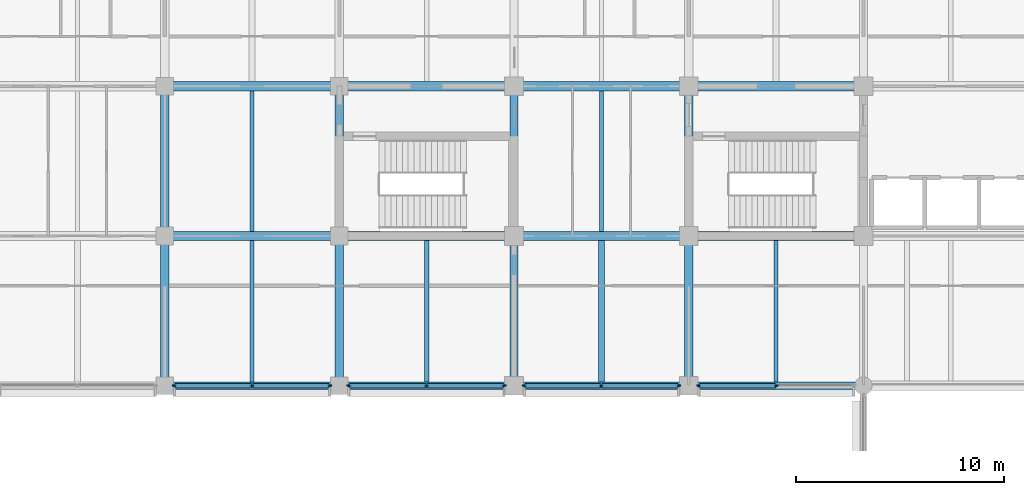
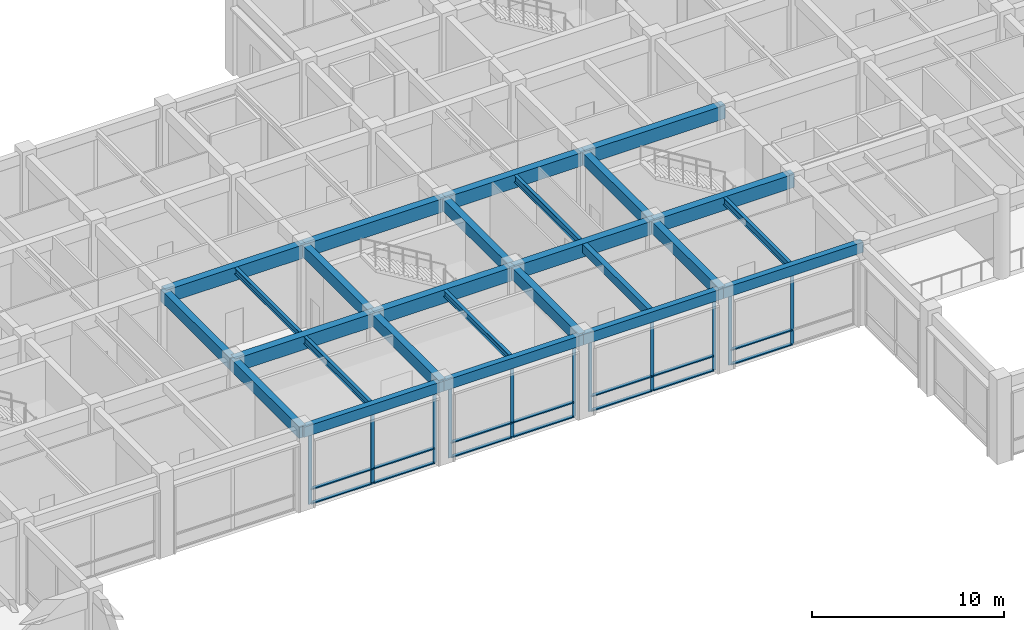
# One storey, part 4 of 51: 32 members, 26 beams, 4 elements without a shape of their own.
"""IFC4 building model written with IfcOpenShell, lengths in metres."""

import ifcopenshell
import ifcopenshell.guid

model = None  # the IFC model being written
_history = None  # IfcOwnerHistory: only IFC2X3 demands one
_inside = {}  # id of a spatial element -> (the spatial element, [elements in it])
_under = {}  # id of a project, library or spatial element -> (it, [spatial elements below it])
_declared = {}  # id of a project -> (the project, [libraries it declares])
_typed = {}  # id of a type object -> (the type object, [elements of that type])
_made_of = {}  # id of a material, layer set ... -> (it, [elements and type objects made of it])


def new_model(schema):
    """Start an empty IFC model of exactly this schema.

    Asked for "IFC4X3", IfcOpenShell would pick the latest addendum, in which some entities
    have other attributes; the version numbers below select the first issue.
    IFC2X3 requires an IfcOwnerHistory on every rooted entity: one is made here for all.
    """
    global model, _history
    if schema == "IFC4X3":
        model = ifcopenshell.file(schema_version=(4, 3, 0, 0))
    else:
        model = ifcopenshell.file(schema=schema)
    _inside.clear()
    _under.clear()
    _declared.clear()
    _typed.clear()
    _made_of.clear()
    _history = None
    if model.schema == "IFC2X3":
        org = make("IfcOrganization", Name="unknown")
        user = make(
            "IfcPersonAndOrganization",
            ThePerson=make("IfcPerson", FamilyName="unknown"),
            TheOrganization=org,
        )
        app = make(
            "IfcApplication",
            ApplicationDeveloper=org,
            Version="unknown",
            ApplicationFullName="unknown",
            ApplicationIdentifier="unknown",
        )
        _history = make(
            "IfcOwnerHistory",
            OwningUser=user,
            OwningApplication=app,
            ChangeAction="ADDED",
            CreationDate=0,
        )
    return model


def make(cls, **values):
    """One entity of the class cls with the attributes given. An attribute that is None is left unset."""
    return model.create_entity(
        cls, **{name: value for name, value in values.items() if value is not None}
    )


def rooted(cls, **values):
    """An entity with a GlobalId (a new one), such as an element, a storey or a relation."""
    return make(cls, GlobalId=ifcopenshell.guid.new(), OwnerHistory=_history, **values)


def si_unit(unit_type, name, prefix=None):
    """IfcSIUnit, for example si_unit("LENGTHUNIT", "METRE", prefix="MILLI")."""
    return make("IfcSIUnit", UnitType=unit_type, Prefix=prefix, Name=name)


def assignment(units):
    """IfcUnitAssignment: the units of a project."""
    return None if units is None else make("IfcUnitAssignment", Units=units)


def point(xyz):
    """IfcCartesianPoint."""
    return None if xyz is None else make("IfcCartesianPoint", Coordinates=xyz)


def direction(xyz):
    """IfcDirection."""
    return None if xyz is None else make("IfcDirection", DirectionRatios=xyz)


def frame(location, z_axis=None, x_axis=None):
    """IfcAxis2Placement3D, a coordinate frame: its origin and axes. An axis left out is left unset."""
    return make(
        "IfcAxis2Placement3D",
        Location=point(location),
        Axis=direction(z_axis),
        RefDirection=direction(x_axis),
    )


def frame_2d(location, x_axis=None):
    """IfcAxis2Placement2D, a coordinate frame in the plane: its origin and x axis."""
    return make(
        "IfcAxis2Placement2D", Location=point(location), RefDirection=direction(x_axis)
    )


def origin():
    """The frame at (0, 0, 0) with its axes left unset."""
    return frame((0.0, 0.0, 0.0))


def origin_2d():
    """The frame at (0, 0) in the plane with its x axis left unset."""
    return frame_2d((0.0, 0.0))


def place(relative_to, where):
    """IfcLocalPlacement: puts the frame where relative to a parent placement (None: the world)."""
    return make(
        "IfcLocalPlacement", PlacementRelTo=relative_to, RelativePlacement=where
    )


def context(
    kind, dimensions, precision=None, world=None, true_north=None, identifier=None
):
    """IfcGeometricRepresentationContext, for example the 3D "Model" context."""
    return make(
        "IfcGeometricRepresentationContext",
        ContextIdentifier=identifier,
        ContextType=kind,
        CoordinateSpaceDimension=dimensions,
        Precision=precision,
        WorldCoordinateSystem=world,
        TrueNorth=true_north,
    )


def subcontext(parent, identifier, kind, view, scale=None):
    """IfcGeometricRepresentationSubContext, for example "Body" below "Model"."""
    return make(
        "IfcGeometricRepresentationSubContext",
        ContextIdentifier=identifier,
        ContextType=kind,
        ParentContext=parent,
        TargetScale=scale,
        TargetView=view,
    )


def project(units=None, contexts=None):
    """IfcProject with its units and contexts."""
    return rooted(
        "IfcProject",
        Name="project",
        RepresentationContexts=contexts,
        UnitsInContext=assignment(units),
    )


def spatial(cls, under=None, at=None, **own):
    """A site, building, storey or space (cls), placed at a placement, below another one or the project."""
    s = rooted(cls, ObjectPlacement=at, **own)
    if under is not None:
        _under.setdefault(under.id(), (under, []))[1].append(s)
    return s


def profile(cls, at=None, kind="AREA", **sizes):
    """A parametric profile (cls). Its sizes go by their IFC names, for example OverallWidth=200.0."""
    return make(cls, ProfileType=kind, Position=at, **sizes)


def rectangle(**sizes):
    """IfcRectangleProfileDef."""
    return profile("IfcRectangleProfileDef", **sizes)


def i_section(**sizes):
    """IfcIShapeProfileDef."""
    return profile("IfcIShapeProfileDef", **sizes)


def extrude(swept, where, along, depth):
    """IfcExtrudedAreaSolid: the profile swept, set in the frame where, extruded along a direction by depth."""
    return make(
        "IfcExtrudedAreaSolid",
        SweptArea=swept,
        Position=where,
        ExtrudedDirection=direction(along),
        Depth=depth,
    )


def shape(context_of_items, identifier, shape_type, items):
    """IfcShapeRepresentation: the items that make up one representation, for example the "Body"."""
    return make(
        "IfcShapeRepresentation",
        ContextOfItems=context_of_items,
        RepresentationIdentifier=identifier,
        RepresentationType=shape_type,
        Items=items,
    )


def material(Name=None, Category=None):
    """IfcMaterial."""
    return make("IfcMaterial", Name=Name, Category=Category)


def layer(
    of_material, thickness, ventilated=None, Name=None, Category=None, Priority=None
):
    """IfcMaterialLayer: one layer of a wall or slab, of a material (None: an air gap)."""
    return make(
        "IfcMaterialLayer",
        Material=of_material,
        LayerThickness=thickness,
        IsVentilated=ventilated,
        Name=Name,
        Category=Category,
        Priority=Priority,
    )


def layer_set(layers, Name=None):
    """IfcMaterialLayerSet."""
    return make("IfcMaterialLayerSet", MaterialLayers=layers, LayerSetName=Name)


def material_profile(
    of_material, cross_section, Name=None, Category=None, Priority=None
):
    """IfcMaterialProfile: a cross section and its material."""
    return make(
        "IfcMaterialProfile",
        Name=Name,
        Material=of_material,
        Profile=cross_section,
        Priority=Priority,
        Category=Category,
    )


def profile_set(profiles, Name=None, composite=None):
    """IfcMaterialProfileSet."""
    return make(
        "IfcMaterialProfileSet",
        Name=Name,
        MaterialProfiles=profiles,
        CompositeProfile=composite,
    )


def made_of(thing, what):
    """Note that an element or type object is made of a material, layer set ...; save() writes the relation."""
    if what is not None:
        _made_of.setdefault(what.id(), (what, []))[1].append(thing)
    return thing


def type_object(cls, material=None, **own):
    """A type object (cls), such as IfcWallType, which elements share."""
    return made_of(rooted(cls, **own), material)


def element(
    cls,
    number,
    at=None,
    inside=None,
    cuts=None,
    type_object=None,
    material=None,
    context=None,
    identifier="Body",
    shape_type=None,
    held_by="IfcProductDefinitionShape",
    body=None,
    shapes=None,
    **own,
):
    """One element of the class cls, such as IfcWall. Its Tag is "e" and its number.

    at: its placement. inside: the storey or other place that contains it. cuts: it is an
    opening in that element (IfcRelVoidsElement). A single representation is given by context,
    identifier, shape_type and body (its items); several are given by shapes. held_by: the class
    of the entity that holds the representations. save() writes the other relations.
    """
    e = rooted(cls, Tag="e%d" % number, ObjectPlacement=at, **own)
    if body is not None:
        shapes = [shape(context, identifier, shape_type, body)]
    if shapes is not None:
        e.Representation = make(held_by, Representations=shapes)
    if inside is not None:
        _inside.setdefault(inside.id(), (inside, []))[1].append(e)
    if cuts is not None:
        rooted(
            "IfcRelVoidsElement", RelatingBuildingElement=cuts, RelatedOpeningElement=e
        )
    if type_object is not None:
        _typed.setdefault(type_object.id(), (type_object, []))[1].append(e)
    return made_of(e, material)


def aggregate(whole, parts):
    """IfcRelAggregates: a whole, such as a stair, and the parts it consists of."""
    return rooted("IfcRelAggregates", RelatingObject=whole, RelatedObjects=parts)


def save(model, path):
    """Write the relations noted so far, then the file.

    IfcRelAggregates (storeys below a building ...), IfcRelContainedInSpatialStructure (elements
    in a storey), IfcRelDefinesByType, IfcRelAssociatesMaterial and IfcRelDeclares: one each for
    every whole, place, type object, material and project.
    """
    for whole, parts in _under.values():
        aggregate(whole, parts)
    for where, things in _inside.values():
        rooted(
            "IfcRelContainedInSpatialStructure",
            RelatedElements=things,
            RelatingStructure=where,
        )
    for kind, things in _typed.values():
        rooted("IfcRelDefinesByType", RelatedObjects=things, RelatingType=kind)
    for what, things in _made_of.values():
        rooted("IfcRelAssociatesMaterial", RelatedObjects=things, RelatingMaterial=what)
    for by, libraries in _declared.values():
        rooted("IfcRelDeclares", RelatingContext=by, RelatedDefinitions=libraries)
    model.write(path)


model = new_model("IFC4")

# Units and contexts
model_context = context("Model", 3, precision=1e-05, world=origin(), true_north=direction((0.0, 1.0)))
body_context = subcontext(model_context, "Body", "Model", "MODEL_VIEW")
ifc_project = project(units=[si_unit("LENGTHUNIT", "METRE"), si_unit("AREAUNIT", "SQUARE_METRE"), si_unit("VOLUMEUNIT", "CUBIC_METRE"), si_unit("PLANEANGLEUNIT", "RADIAN"), si_unit("MASSUNIT", "GRAM", prefix="KILO")], contexts=[model_context])

# Site, building, storey
site_placement = place(None, origin())
site = spatial("IfcSite", under=ifc_project, at=site_placement, CompositionType="ELEMENT")
building_placement = place(site_placement, origin())
building = spatial("IfcBuilding", under=site, at=building_placement, Name="Chengyuan Square Courthouse", CompositionType="ELEMENT")
storey_placement = place(building_placement, frame((0.0, 0.0, 10.800048828125)))
storey = spatial("IfcBuildingStorey", under=building, at=storey_placement, Name="L03", CompositionType="ELEMENT", Elevation=10.800048828125)

# Beams
ifc_material_1 = material(Name="Concrete C40", Category="concrete")
ifc_material_profile_1 = material_profile(ifc_material_1, rectangle(XDim=0.449951171875, YDim=0.85009765625, at=origin_2d()), Name="RC-BM-450x850")
ifc_profile_set_1 = profile_set([ifc_material_profile_1], Name="Concrete C40")
beam_type_1 = type_object("IfcBeamType", Name="BM-01", PredefinedType="USERDEFINED", material=ifc_profile_set_1)
for number, where, z_axis, x_axis, name in (
    (1, (33.60009765625, 86.39990234375, 4.695068359375), (1.0, 0.0, 0.0), (0.0, 1.0, 0.0), "Girder BM-L03-2548"),
    (2, (42.0, 86.39990234375, 4.695068359375), (1.0, 0.0, 0.0), (0.0, 1.0, 0.0), "Girder BM-L03-2549"),
):
    element("IfcBeam", number, at=place(storey_placement, frame(where, z_axis=z_axis, x_axis=x_axis)), inside=storey, type_object=beam_type_1, Name=name, ObjectType="GIRDER", PredefinedType="USERDEFINED", context=body_context, shape_type="SweptSolid", body=[
        extrude(rectangle(XDim=0.449951171875, YDim=0.85009765625, at=origin_2d()), origin(), (0.0, 0.0, 1.0), 8.39990234375),
    ])
beam_1_placement = place(storey_placement, frame((50.39990234375, 86.39990234375, 4.695068359375), z_axis=(1.0, 0.0, 0.0), x_axis=(0.0, 1.0, 0.0)))
element("IfcBeam", 3, at=beam_1_placement, inside=storey, type_object=beam_type_1, Name="Girder BM-L03-2550", ObjectType="GIRDER", PredefinedType="USERDEFINED", context=body_context, shape_type="SweptSolid", body=[
    extrude(rectangle(XDim=0.449951171875, YDim=0.85009765625, at=origin_2d()), origin(), (0.0, 0.0, 1.0), 8.400146484375),
])
for number, where, z_axis, x_axis, name in (
    (4, (58.800048828125, 86.39990234375, 4.695068359375), (1.0, 0.0, 0.0), (0.0, 1.0, 0.0), "Girder BM-L03-2551"),
    (5, (33.60009765625, 93.60009765625, 4.695068359375), (1.0, 0.0, 0.0), (0.0, 1.0, 0.0), "Girder BM-L03-2568"),
    (6, (42.0, 93.60009765625, 4.695068359375), (1.0, 0.0, 0.0), (0.0, 1.0, 0.0), "Girder BM-L03-2569"),
):
    element("IfcBeam", number, at=place(storey_placement, frame(where, z_axis=z_axis, x_axis=x_axis)), inside=storey, type_object=beam_type_1, Name=name, ObjectType="GIRDER", PredefinedType="USERDEFINED", context=body_context, shape_type="SweptSolid", body=[
        extrude(rectangle(XDim=0.449951171875, YDim=0.85009765625, at=origin_2d()), origin(), (0.0, 0.0, 1.0), 8.39990234375),
    ])
beam_2_placement = place(storey_placement, frame((50.39990234375, 93.60009765625, 4.695068359375), z_axis=(1.0, 0.0, 0.0), x_axis=(0.0, 1.0, 0.0)))
element("IfcBeam", 7, at=beam_2_placement, inside=storey, type_object=beam_type_1, Name="Girder BM-L03-2570", ObjectType="GIRDER", PredefinedType="USERDEFINED", context=body_context, shape_type="SweptSolid", body=[
    extrude(rectangle(XDim=0.449951171875, YDim=0.85009765625, at=origin_2d()), origin(), (0.0, 0.0, 1.0), 8.400146484375),
])
beam_3_placement = place(storey_placement, frame((58.800048828125, 93.60009765625, 4.695068359375), z_axis=(1.0, 0.0, 0.0), x_axis=(0.0, 1.0, 0.0)))
element("IfcBeam", 8, at=beam_3_placement, inside=storey, type_object=beam_type_1, Name="Girder BM-L03-2571", ObjectType="GIRDER", PredefinedType="USERDEFINED", context=body_context, shape_type="SweptSolid", body=[
    extrude(rectangle(XDim=0.449951171875, YDim=0.85009765625, at=origin_2d()), origin(), (0.0, 0.0, 1.0), 8.39990234375),
])
ifc_material_profile_2 = material_profile(ifc_material_1, rectangle(XDim=0.39990234375, YDim=0.75, at=origin_2d()), Name="RC-BM-400x750")
ifc_profile_set_2 = profile_set([ifc_material_profile_2], Name="Concrete C40")
beam_type_2 = type_object("IfcBeamType", Name="BM-02", PredefinedType="USERDEFINED", material=ifc_profile_set_2)
beam_4_placement = place(storey_placement, frame((33.60009765625, 79.199951171875, 4.744873046875), z_axis=(0.0, 1.0, 0.0), x_axis=(-1.0, 0.0, 0.0)))
element("IfcBeam", 9, at=beam_4_placement, inside=storey, type_object=beam_type_2, Name="Girder BM-L03-2660", ObjectType="GIRDER", PredefinedType="USERDEFINED", context=body_context, shape_type="SweptSolid", body=[
    extrude(rectangle(XDim=0.39990234375, YDim=0.75, at=origin_2d()), origin(), (0.0, 0.0, 1.0), 7.199951171875),
])
beam_5_placement = place(storey_placement, frame((33.60009765625, 86.39990234375, 4.744873046875), z_axis=(0.0, 1.0, 0.0), x_axis=(-1.0, 0.0, 0.0)))
element("IfcBeam", 10, at=beam_5_placement, inside=storey, type_object=beam_type_2, Name="Girder BM-L03-2661", ObjectType="GIRDER", PredefinedType="USERDEFINED", context=body_context, shape_type="SweptSolid", body=[
    extrude(rectangle(XDim=0.39990234375, YDim=0.75, at=origin_2d()), origin(), (0.0, 0.0, 1.0), 7.2001953125),
])
beam_6_placement = place(storey_placement, frame((42.0, 79.199951171875, 4.744873046875), z_axis=(0.0, 1.0, 0.0), x_axis=(-1.0, 0.0, 0.0)))
element("IfcBeam", 11, at=beam_6_placement, inside=storey, type_object=beam_type_2, Name="Girder BM-L03-2664", ObjectType="GIRDER", PredefinedType="USERDEFINED", context=body_context, shape_type="SweptSolid", body=[
    extrude(rectangle(XDim=0.39990234375, YDim=0.75, at=origin_2d()), origin(), (0.0, 0.0, 1.0), 7.199951171875),
])
beam_7_placement = place(storey_placement, frame((42.0, 86.39990234375, 4.744873046875), z_axis=(0.0, 1.0, 0.0), x_axis=(-1.0, 0.0, 0.0)))
element("IfcBeam", 12, at=beam_7_placement, inside=storey, type_object=beam_type_2, Name="Girder BM-L03-2665", ObjectType="GIRDER", PredefinedType="USERDEFINED", context=body_context, shape_type="SweptSolid", body=[
    extrude(rectangle(XDim=0.39990234375, YDim=0.75, at=origin_2d()), origin(), (0.0, 0.0, 1.0), 7.2001953125),
])
beam_8_placement = place(storey_placement, frame((50.39990234375, 79.199951171875, 4.744873046875), z_axis=(0.0, 1.0, 0.0), x_axis=(-1.0, 0.0, 0.0)))
element("IfcBeam", 13, at=beam_8_placement, inside=storey, type_object=beam_type_2, Name="Girder BM-L03-2668", ObjectType="GIRDER", PredefinedType="USERDEFINED", context=body_context, shape_type="SweptSolid", body=[
    extrude(rectangle(XDim=0.39990234375, YDim=0.75, at=origin_2d()), origin(), (0.0, 0.0, 1.0), 7.199951171875),
])
beam_9_placement = place(storey_placement, frame((50.39990234375, 86.39990234375, 4.744873046875), z_axis=(0.0, 1.0, 0.0), x_axis=(-1.0, 0.0, 0.0)))
element("IfcBeam", 14, at=beam_9_placement, inside=storey, type_object=beam_type_2, Name="Girder BM-L03-2669", ObjectType="GIRDER", PredefinedType="USERDEFINED", context=body_context, shape_type="SweptSolid", body=[
    extrude(rectangle(XDim=0.39990234375, YDim=0.75, at=origin_2d()), origin(), (0.0, 0.0, 1.0), 7.2001953125),
])
beam_10_placement = place(storey_placement, frame((58.800048828125, 79.199951171875, 4.744873046875), z_axis=(0.0, 1.0, 0.0), x_axis=(-1.0, 0.0, 0.0)))
element("IfcBeam", 15, at=beam_10_placement, inside=storey, type_object=beam_type_2, Name="Girder BM-L03-2673", ObjectType="GIRDER", PredefinedType="USERDEFINED", context=body_context, shape_type="SweptSolid", body=[
    extrude(rectangle(XDim=0.39990234375, YDim=0.75, at=origin_2d()), origin(), (0.0, 0.0, 1.0), 7.199951171875),
])
beam_11_placement = place(storey_placement, frame((58.800048828125, 86.39990234375, 4.744873046875), z_axis=(0.0, 1.0, 0.0), x_axis=(-1.0, 0.0, 0.0)))
element("IfcBeam", 16, at=beam_11_placement, inside=storey, type_object=beam_type_2, Name="Girder BM-L03-2674", ObjectType="GIRDER", PredefinedType="USERDEFINED", context=body_context, shape_type="SweptSolid", body=[
    extrude(rectangle(XDim=0.39990234375, YDim=0.75, at=origin_2d()), origin(), (0.0, 0.0, 1.0), 7.2001953125),
])
ifc_material_profile_3 = material_profile(ifc_material_1, rectangle(XDim=0.35009765625, YDim=0.64990234375, at=origin_2d()), Name="RC-BM-350x650")
ifc_profile_set_3 = profile_set([ifc_material_profile_3], Name="Concrete C40")
beam_type_3 = type_object("IfcBeamType", Name="BM-03", PredefinedType="SPANDREL", material=ifc_profile_set_3)
for number, where, z_axis, x_axis, name in (
    (17, (33.60009765625, 79.199951171875, 4.794921875), (1.0, 0.0, 0.0), (0.0, 1.0, 0.0), "Girder BM-L03-2528"),
    (18, (42.0, 79.199951171875, 4.794921875), (1.0, 0.0, 0.0), (0.0, 1.0, 0.0), "Girder BM-L03-2529"),
):
    element("IfcBeam", number, at=place(storey_placement, frame(where, z_axis=z_axis, x_axis=x_axis)), inside=storey, type_object=beam_type_3, Name=name, PredefinedType="SPANDREL", context=body_context, shape_type="SweptSolid", body=[
        extrude(rectangle(XDim=0.35009765625, YDim=0.64990234375, at=origin_2d()), origin(), (0.0, 0.0, 1.0), 8.39990234375),
    ])
beam_12_placement = place(storey_placement, frame((50.39990234375, 79.199951171875, 4.794921875), z_axis=(1.0, 0.0, 0.0), x_axis=(0.0, 1.0, 0.0)))
element("IfcBeam", 19, at=beam_12_placement, inside=storey, type_object=beam_type_3, Name="Girder BM-L03-2530", PredefinedType="SPANDREL", context=body_context, shape_type="SweptSolid", body=[
    extrude(rectangle(XDim=0.35009765625, YDim=0.64990234375, at=origin_2d()), origin(), (0.0, 0.0, 1.0), 8.400146484375),
])
beam_13_placement = place(storey_placement, frame((58.800048828125, 79.199951171875, 4.794921875), z_axis=(1.0, 0.0, 0.0), x_axis=(0.0, 1.0, 0.0)))
element("IfcBeam", 20, at=beam_13_placement, inside=storey, type_object=beam_type_3, Name="Girder BM-L03-2531", PredefinedType="SPANDREL", context=body_context, shape_type="SweptSolid", body=[
    extrude(rectangle(XDim=0.35009765625, YDim=0.64990234375, at=origin_2d()), origin(), (0.0, 0.0, 1.0), 8.39990234375),
])
ifc_material_profile_4 = material_profile(ifc_material_1, rectangle(XDim=0.300048828125, YDim=0.550048828125, at=origin_2d()), Name="RC-BM-300x550")
ifc_profile_set_4 = profile_set([ifc_material_profile_4], Name="Concrete C40")
beam_type_4 = type_object("IfcBeamType", Name="BM-04", PredefinedType="BEAM", material=ifc_profile_set_4)
beam_14_placement = place(storey_placement, frame((54.60009765625, 79.375, 4.844970703125), z_axis=(0.0, 1.0, 0.0), x_axis=(-1.0, 0.0, 0.0)))
element("IfcBeam", 21, at=beam_14_placement, inside=storey, type_object=beam_type_4, Name="Secondary Floor Beam SBM-L03-2782", PredefinedType="BEAM", context=body_context, shape_type="SweptSolid", body=[
    extrude(rectangle(XDim=0.300048828125, YDim=0.550048828125, at=origin_2d()), origin(), (0.0, 0.0, 1.0), 6.800048828125),
])
ifc_material_2 = material(Name="Steel Q355B", Category="steel")
ifc_material_profile_5 = material_profile(ifc_material_2, i_section(OverallWidth=0.199951171875, OverallDepth=0.449951171875, WebThickness=0.009033203125, FlangeThickness=0.013916015625, at=origin_2d()), Name="HN 450x200x9x14")
ifc_profile_set_5 = profile_set([ifc_material_profile_5], Name="Steel Q355B")
beam_type_5 = type_object("IfcBeamType", Name="BM-06", PredefinedType="BEAM", material=ifc_profile_set_5)
beam_15_placement = place(storey_placement, frame((37.800048828125, 79.375, 4.89501953125), z_axis=(0.0, 1.0, 0.0), x_axis=(-1.0, 0.0, 0.0)))
element("IfcBeam", 22, at=beam_15_placement, inside=storey, type_object=beam_type_5, Name="Secondary Floor Beam SBM-L03-2775", PredefinedType="BEAM", context=body_context, shape_type="SweptSolid", body=[
    extrude(i_section(OverallWidth=0.199951171875, OverallDepth=0.449951171875, WebThickness=0.009033203125, FlangeThickness=0.013916015625, at=origin_2d()), origin(), (0.0, 0.0, 1.0), 6.800048828125),
])
beam_16_placement = place(storey_placement, frame((54.60009765625, 86.625, 4.89501953125), z_axis=(0.0, 1.0, 0.0), x_axis=(-1.0, 0.0, 0.0)))
element("IfcBeam", 23, at=beam_16_placement, inside=storey, type_object=beam_type_5, Name="Secondary Floor Beam SBM-L03-2783", PredefinedType="BEAM", context=body_context, shape_type="SweptSolid", body=[
    extrude(i_section(OverallWidth=0.199951171875, OverallDepth=0.449951171875, WebThickness=0.009033203125, FlangeThickness=0.013916015625, at=origin_2d()), origin(), (0.0, 0.0, 1.0), 6.75),
])
beam_17_placement = place(storey_placement, frame((63.0, 79.375, 4.89501953125), z_axis=(0.0, 1.0, 0.0), x_axis=(-1.0, 0.0, 0.0)))
element("IfcBeam", 24, at=beam_17_placement, inside=storey, type_object=beam_type_5, Name="Secondary Floor Beam SBM-L03-2787", PredefinedType="BEAM", context=body_context, shape_type="SweptSolid", body=[
    extrude(i_section(OverallWidth=0.199951171875, OverallDepth=0.449951171875, WebThickness=0.009033203125, FlangeThickness=0.013916015625, at=origin_2d()), origin(), (0.0, 0.0, 1.0), 6.800048828125),
])
ifc_material_profile_6 = material_profile(ifc_material_2, i_section(OverallWidth=0.199951171875, OverallDepth=0.39990234375, WebThickness=0.008056640625, FlangeThickness=0.012939453125, at=origin_2d()), Name="HN 400x200x8x13")
ifc_profile_set_6 = profile_set([ifc_material_profile_6], Name="Steel Q355B")
beam_type_6 = type_object("IfcBeamType", Name="BM-07", PredefinedType="BEAM", material=ifc_profile_set_6)
beam_18_placement = place(storey_placement, frame((37.800048828125, 86.625, 4.919921875), z_axis=(0.0, 1.0, 0.0), x_axis=(-1.0, 0.0, 0.0)))
element("IfcBeam", 25, at=beam_18_placement, inside=storey, type_object=beam_type_6, Name="Secondary Floor Beam SBM-L03-2776", PredefinedType="BEAM", context=body_context, shape_type="SweptSolid", body=[
    extrude(i_section(OverallWidth=0.199951171875, OverallDepth=0.39990234375, WebThickness=0.008056640625, FlangeThickness=0.012939453125, at=origin_2d()), origin(), (0.0, 0.0, 1.0), 6.75),
])
beam_19_placement = place(storey_placement, frame((46.199951171875, 79.375, 4.919921875), z_axis=(0.0, 1.0, 0.0), x_axis=(-1.0, 0.0, 0.0)))
element("IfcBeam", 26, at=beam_19_placement, inside=storey, type_object=beam_type_6, Name="Secondary Floor Beam SBM-L03-2779", PredefinedType="BEAM", context=body_context, shape_type="SweptSolid", body=[
    extrude(i_section(OverallWidth=0.199951171875, OverallDepth=0.39990234375, WebThickness=0.008056640625, FlangeThickness=0.012939453125, at=origin_2d()), origin(), (0.0, 0.0, 1.0), 6.800048828125),
])

# Curtain wall, members
ifc_material_3 = material(Name="Unitised Aluminium and Triple Low-E Glass", Category="aluminium")
ifc_layer = layer(ifc_material_3, 0.199951171875)
ifc_layer_set = layer_set([ifc_layer], Name="Unitised Aluminium and Triple Low-E Glass")
curtain_wall_type = type_object("IfcCurtainWallType", Name="CW-07", PredefinedType="USERDEFINED", material=ifc_layer_set)
curtain_wall_1_placement = place(storey_placement, origin())
curtain_wall_1 = element("IfcCurtainWall", 27, at=curtain_wall_1_placement, inside=storey, type_object=curtain_wall_type, Name="Unitised Curtain Wall CW-L03-100", ObjectType="UNITISED CURTAIN WALL", PredefinedType="USERDEFINED")
ifc_material_4 = material(Name="Aluminium 6063-T6 Frame", Category="aluminium")
ifc_material_profile_7 = material_profile(ifc_material_4, rectangle(XDim=0.070068359375, YDim=0.199951171875, at=origin_2d()), Name="CW-MUL-70x200")
ifc_profile_set_7 = profile_set([ifc_material_profile_7], Name="Aluminium 6063-T6 Frame")
member_type_1 = type_object("IfcMemberType", Name="CWM-03", PredefinedType="MULLION", material=ifc_profile_set_7)
member_1_placement = place(storey_placement, frame((34.06005859375, 79.199951171875, 0.0), z_axis=(0.0, 0.0, 1.0), x_axis=(0.0, 1.0, 0.0)))
member_1 = element("IfcMember", 28, at=member_1_placement, type_object=member_type_1, Name="CW-07 mullion 1", PredefinedType="MULLION", context=body_context, shape_type="SweptSolid", body=[
    extrude(rectangle(XDim=0.070068359375, YDim=0.199951171875, at=origin_2d()), origin(), (0.0, 0.0, 1.0), 4.469970703125),
])
member_2_placement = place(storey_placement, frame((37.800048828125, 79.199951171875, 0.0), z_axis=(0.0, 0.0, 1.0), x_axis=(0.0, 1.0, 0.0)))
member_2 = element("IfcMember", 29, at=member_2_placement, type_object=member_type_1, Name="CW-07 mullion 2", PredefinedType="MULLION", context=body_context, shape_type="SweptSolid", body=[
    extrude(rectangle(XDim=0.070068359375, YDim=0.199951171875, at=origin_2d()), origin(), (0.0, 0.0, 1.0), 4.469970703125),
])
member_3_placement = place(storey_placement, frame((41.5400390625, 79.199951171875, 0.0), z_axis=(0.0, 0.0, 1.0), x_axis=(0.0, 1.0, 0.0)))
member_3 = element("IfcMember", 30, at=member_3_placement, type_object=member_type_1, Name="CW-07 mullion 3", PredefinedType="MULLION", context=body_context, shape_type="SweptSolid", body=[
    extrude(rectangle(XDim=0.070068359375, YDim=0.199951171875, at=origin_2d()), origin(), (0.0, 0.0, 1.0), 4.469970703125),
])

curtain_wall_2_placement = place(storey_placement, origin())
curtain_wall_2 = element("IfcCurtainWall", 31, at=curtain_wall_2_placement, inside=storey, type_object=curtain_wall_type, Name="Unitised Curtain Wall CW-L03-102", ObjectType="UNITISED CURTAIN WALL", PredefinedType="USERDEFINED")
member_4_placement = place(storey_placement, frame((42.4599609375, 79.199951171875, 0.0), z_axis=(0.0, 0.0, 1.0), x_axis=(0.0, 1.0, 0.0)))
member_4 = element("IfcMember", 32, at=member_4_placement, type_object=member_type_1, Name="CW-07 mullion 1", PredefinedType="MULLION", context=body_context, shape_type="SweptSolid", body=[
    extrude(rectangle(XDim=0.070068359375, YDim=0.199951171875, at=origin_2d()), origin(), (0.0, 0.0, 1.0), 4.469970703125),
])
member_5_placement = place(storey_placement, frame((46.1875, 79.199951171875, 0.0), z_axis=(0.0, 0.0, 1.0), x_axis=(0.0, 1.0, 0.0)))
member_5 = element("IfcMember", 33, at=member_5_placement, type_object=member_type_1, Name="CW-07 mullion 2", PredefinedType="MULLION", context=body_context, shape_type="SweptSolid", body=[
    extrude(rectangle(XDim=0.070068359375, YDim=0.199951171875, at=origin_2d()), origin(), (0.0, 0.0, 1.0), 4.469970703125),
])
member_6_placement = place(storey_placement, frame((49.9150390625, 79.199951171875, 0.0), z_axis=(0.0, 0.0, 1.0), x_axis=(0.0, 1.0, 0.0)))
member_6 = element("IfcMember", 34, at=member_6_placement, type_object=member_type_1, Name="CW-07 mullion 3", PredefinedType="MULLION", context=body_context, shape_type="SweptSolid", body=[
    extrude(rectangle(XDim=0.070068359375, YDim=0.199951171875, at=origin_2d()), origin(), (0.0, 0.0, 1.0), 4.469970703125),
])

curtain_wall_3_placement = place(storey_placement, origin())
curtain_wall_3 = element("IfcCurtainWall", 35, at=curtain_wall_3_placement, inside=storey, type_object=curtain_wall_type, Name="Unitised Curtain Wall CW-L03-103", ObjectType="UNITISED CURTAIN WALL", PredefinedType="USERDEFINED")
member_7_placement = place(storey_placement, frame((50.885009765625, 79.199951171875, 0.0), z_axis=(0.0, 0.0, 1.0), x_axis=(0.0, 1.0, 0.0)))
member_7 = element("IfcMember", 36, at=member_7_placement, type_object=member_type_1, Name="CW-07 mullion 1", PredefinedType="MULLION", context=body_context, shape_type="SweptSolid", body=[
    extrude(rectangle(XDim=0.070068359375, YDim=0.199951171875, at=origin_2d()), origin(), (0.0, 0.0, 1.0), 4.469970703125),
])
member_8_placement = place(storey_placement, frame((54.60009765625, 79.199951171875, 0.0), z_axis=(0.0, 0.0, 1.0), x_axis=(0.0, 1.0, 0.0)))
member_8 = element("IfcMember", 37, at=member_8_placement, type_object=member_type_1, Name="CW-07 mullion 2", PredefinedType="MULLION", context=body_context, shape_type="SweptSolid", body=[
    extrude(rectangle(XDim=0.070068359375, YDim=0.199951171875, at=origin_2d()), origin(), (0.0, 0.0, 1.0), 4.469970703125),
])
member_9_placement = place(storey_placement, frame((58.31494140625, 79.199951171875, 0.0), z_axis=(0.0, 0.0, 1.0), x_axis=(0.0, 1.0, 0.0)))
member_9 = element("IfcMember", 38, at=member_9_placement, type_object=member_type_1, Name="CW-07 mullion 3", PredefinedType="MULLION", context=body_context, shape_type="SweptSolid", body=[
    extrude(rectangle(XDim=0.070068359375, YDim=0.199951171875, at=origin_2d()), origin(), (0.0, 0.0, 1.0), 4.469970703125),
])

curtain_wall_4_placement = place(storey_placement, origin())
curtain_wall_4 = element("IfcCurtainWall", 39, at=curtain_wall_4_placement, inside=storey, type_object=curtain_wall_type, Name="Unitised Curtain Wall CW-L03-104", ObjectType="UNITISED CURTAIN WALL", PredefinedType="USERDEFINED")
member_10_placement = place(storey_placement, frame((59.284912109375, 79.199951171875, 0.0), z_axis=(0.0, 0.0, 1.0), x_axis=(0.0, 1.0, 0.0)))
member_10 = element("IfcMember", 40, at=member_10_placement, type_object=member_type_1, Name="CW-07 mullion 1", PredefinedType="MULLION", context=body_context, shape_type="SweptSolid", body=[
    extrude(rectangle(XDim=0.070068359375, YDim=0.199951171875, at=origin_2d()), origin(), (0.0, 0.0, 1.0), 4.469970703125),
])
member_11_placement = place(storey_placement, frame((63.012451171875, 79.199951171875, 0.0), z_axis=(0.0, 0.0, 1.0), x_axis=(0.0, 1.0, 0.0)))
member_11 = element("IfcMember", 41, at=member_11_placement, type_object=member_type_1, Name="CW-07 mullion 2", PredefinedType="MULLION", context=body_context, shape_type="SweptSolid", body=[
    extrude(rectangle(XDim=0.070068359375, YDim=0.199951171875, at=origin_2d()), origin(), (0.0, 0.0, 1.0), 4.469970703125),
])

# Member
ifc_material_profile_8 = material_profile(ifc_material_4, rectangle(XDim=0.199951171875, YDim=0.070068359375, at=origin_2d()), Name="CW-TRN-70x160")
ifc_profile_set_8 = profile_set([ifc_material_profile_8], Name="Aluminium 6063-T6 Frame")
member_type_2 = type_object("IfcMemberType", Name="CWT-03", PredefinedType="USERDEFINED", material=ifc_profile_set_8)
member_12_placement = place(storey_placement, frame((34.094970703125, 79.199951171875, 0.034912109375), z_axis=(1.0, 0.0, 0.0), x_axis=(0.0, 1.0, 0.0)))
member_12 = element("IfcMember", 42, at=member_12_placement, type_object=member_type_2, Name="CW-07 transom 1.1", ObjectType="TRANSOM", PredefinedType="USERDEFINED", context=body_context, shape_type="SweptSolid", body=[
    extrude(rectangle(XDim=0.199951171875, YDim=0.070068359375, at=origin_2d()), origin(), (0.0, 0.0, 1.0), 3.669921875),
])

member_13_placement = place(storey_placement, frame((34.094970703125, 79.199951171875, 0.949951171875), z_axis=(1.0, 0.0, 0.0), x_axis=(0.0, 1.0, 0.0)))
member_13 = element("IfcMember", 43, at=member_13_placement, type_object=member_type_2, Name="CW-07 transom 1.2", ObjectType="TRANSOM", PredefinedType="USERDEFINED", context=body_context, shape_type="SweptSolid", body=[
    extrude(rectangle(XDim=0.199951171875, YDim=0.070068359375, at=origin_2d()), origin(), (0.0, 0.0, 1.0), 3.669921875),
])

member_14_placement = place(storey_placement, frame((34.094970703125, 79.199951171875, 4.43505859375), z_axis=(1.0, 0.0, 0.0), x_axis=(0.0, 1.0, 0.0)))
member_14 = element("IfcMember", 44, at=member_14_placement, type_object=member_type_2, Name="CW-07 transom 1.3", ObjectType="TRANSOM", PredefinedType="USERDEFINED", context=body_context, shape_type="SweptSolid", body=[
    extrude(rectangle(XDim=0.199951171875, YDim=0.070068359375, at=origin_2d()), origin(), (0.0, 0.0, 1.0), 3.669921875),
])

member_15_placement = place(storey_placement, frame((37.8349609375, 79.199951171875, 0.034912109375), z_axis=(1.0, 0.0, 0.0), x_axis=(0.0, 1.0, 0.0)))
member_15 = element("IfcMember", 45, at=member_15_placement, type_object=member_type_2, Name="CW-07 transom 2.1", ObjectType="TRANSOM", PredefinedType="USERDEFINED", context=body_context, shape_type="SweptSolid", body=[
    extrude(rectangle(XDim=0.199951171875, YDim=0.070068359375, at=origin_2d()), origin(), (0.0, 0.0, 1.0), 3.669921875),
])

member_16_placement = place(storey_placement, frame((37.8349609375, 79.199951171875, 0.949951171875), z_axis=(1.0, 0.0, 0.0), x_axis=(0.0, 1.0, 0.0)))
member_16 = element("IfcMember", 46, at=member_16_placement, type_object=member_type_2, Name="CW-07 transom 2.2", ObjectType="TRANSOM", PredefinedType="USERDEFINED", context=body_context, shape_type="SweptSolid", body=[
    extrude(rectangle(XDim=0.199951171875, YDim=0.070068359375, at=origin_2d()), origin(), (0.0, 0.0, 1.0), 3.669921875),
])

member_17_placement = place(storey_placement, frame((37.8349609375, 79.199951171875, 4.43505859375), z_axis=(1.0, 0.0, 0.0), x_axis=(0.0, 1.0, 0.0)))
member_17 = element("IfcMember", 47, at=member_17_placement, type_object=member_type_2, Name="CW-07 transom 2.3", ObjectType="TRANSOM", PredefinedType="USERDEFINED", context=body_context, shape_type="SweptSolid", body=[
    extrude(rectangle(XDim=0.199951171875, YDim=0.070068359375, at=origin_2d()), origin(), (0.0, 0.0, 1.0), 3.669921875),
])

aggregate(curtain_wall_1, [member_1, member_2, member_3, member_12, member_13, member_14, member_15, member_16, member_17])

member_18_placement = place(storey_placement, frame((42.4951171875, 79.199951171875, 0.034912109375), z_axis=(1.0, 0.0, 0.0), x_axis=(0.0, 1.0, 0.0)))
member_18 = element("IfcMember", 48, at=member_18_placement, type_object=member_type_2, Name="CW-07 transom 1.1", ObjectType="TRANSOM", PredefinedType="USERDEFINED", context=body_context, shape_type="SweptSolid", body=[
    extrude(rectangle(XDim=0.199951171875, YDim=0.070068359375, at=origin_2d()), origin(), (0.0, 0.0, 1.0), 3.657470703125),
])

member_19_placement = place(storey_placement, frame((42.4951171875, 79.199951171875, 0.949951171875), z_axis=(1.0, 0.0, 0.0), x_axis=(0.0, 1.0, 0.0)))
member_19 = element("IfcMember", 49, at=member_19_placement, type_object=member_type_2, Name="CW-07 transom 1.2", ObjectType="TRANSOM", PredefinedType="USERDEFINED", context=body_context, shape_type="SweptSolid", body=[
    extrude(rectangle(XDim=0.199951171875, YDim=0.070068359375, at=origin_2d()), origin(), (0.0, 0.0, 1.0), 3.657470703125),
])

member_20_placement = place(storey_placement, frame((42.4951171875, 79.199951171875, 4.43505859375), z_axis=(1.0, 0.0, 0.0), x_axis=(0.0, 1.0, 0.0)))
member_20 = element("IfcMember", 50, at=member_20_placement, type_object=member_type_2, Name="CW-07 transom 1.3", ObjectType="TRANSOM", PredefinedType="USERDEFINED", context=body_context, shape_type="SweptSolid", body=[
    extrude(rectangle(XDim=0.199951171875, YDim=0.070068359375, at=origin_2d()), origin(), (0.0, 0.0, 1.0), 3.657470703125),
])

member_21_placement = place(storey_placement, frame((46.222412109375, 79.199951171875, 0.034912109375), z_axis=(1.0, 0.0, 0.0), x_axis=(0.0, 1.0, 0.0)))
member_21 = element("IfcMember", 51, at=member_21_placement, type_object=member_type_2, Name="CW-07 transom 2.1", ObjectType="TRANSOM", PredefinedType="USERDEFINED", context=body_context, shape_type="SweptSolid", body=[
    extrude(rectangle(XDim=0.199951171875, YDim=0.070068359375, at=origin_2d()), origin(), (0.0, 0.0, 1.0), 3.657470703125),
])

member_22_placement = place(storey_placement, frame((46.222412109375, 79.199951171875, 0.949951171875), z_axis=(1.0, 0.0, 0.0), x_axis=(0.0, 1.0, 0.0)))
member_22 = element("IfcMember", 52, at=member_22_placement, type_object=member_type_2, Name="CW-07 transom 2.2", ObjectType="TRANSOM", PredefinedType="USERDEFINED", context=body_context, shape_type="SweptSolid", body=[
    extrude(rectangle(XDim=0.199951171875, YDim=0.070068359375, at=origin_2d()), origin(), (0.0, 0.0, 1.0), 3.657470703125),
])

member_23_placement = place(storey_placement, frame((46.222412109375, 79.199951171875, 4.43505859375), z_axis=(1.0, 0.0, 0.0), x_axis=(0.0, 1.0, 0.0)))
member_23 = element("IfcMember", 53, at=member_23_placement, type_object=member_type_2, Name="CW-07 transom 2.3", ObjectType="TRANSOM", PredefinedType="USERDEFINED", context=body_context, shape_type="SweptSolid", body=[
    extrude(rectangle(XDim=0.199951171875, YDim=0.070068359375, at=origin_2d()), origin(), (0.0, 0.0, 1.0), 3.657470703125),
])

aggregate(curtain_wall_2, [member_4, member_5, member_6, member_18, member_19, member_20, member_21, member_22, member_23])

member_24_placement = place(storey_placement, frame((50.919921875, 79.199951171875, 0.034912109375), z_axis=(1.0, 0.0, 0.0), x_axis=(0.0, 1.0, 0.0)))
member_24 = element("IfcMember", 54, at=member_24_placement, type_object=member_type_2, Name="CW-07 transom 1.1", ObjectType="TRANSOM", PredefinedType="USERDEFINED", context=body_context, shape_type="SweptSolid", body=[
    extrude(rectangle(XDim=0.199951171875, YDim=0.070068359375, at=origin_2d()), origin(), (0.0, 0.0, 1.0), 3.64501953125),
])

member_25_placement = place(storey_placement, frame((50.919921875, 79.199951171875, 0.949951171875), z_axis=(1.0, 0.0, 0.0), x_axis=(0.0, 1.0, 0.0)))
member_25 = element("IfcMember", 55, at=member_25_placement, type_object=member_type_2, Name="CW-07 transom 1.2", ObjectType="TRANSOM", PredefinedType="USERDEFINED", context=body_context, shape_type="SweptSolid", body=[
    extrude(rectangle(XDim=0.199951171875, YDim=0.070068359375, at=origin_2d()), origin(), (0.0, 0.0, 1.0), 3.64501953125),
])

member_26_placement = place(storey_placement, frame((50.919921875, 79.199951171875, 4.43505859375), z_axis=(1.0, 0.0, 0.0), x_axis=(0.0, 1.0, 0.0)))
member_26 = element("IfcMember", 56, at=member_26_placement, type_object=member_type_2, Name="CW-07 transom 1.3", ObjectType="TRANSOM", PredefinedType="USERDEFINED", context=body_context, shape_type="SweptSolid", body=[
    extrude(rectangle(XDim=0.199951171875, YDim=0.070068359375, at=origin_2d()), origin(), (0.0, 0.0, 1.0), 3.64501953125),
])

member_27_placement = place(storey_placement, frame((54.635009765625, 79.199951171875, 0.034912109375), z_axis=(1.0, 0.0, 0.0), x_axis=(0.0, 1.0, 0.0)))
member_27 = element("IfcMember", 57, at=member_27_placement, type_object=member_type_2, Name="CW-07 transom 2.1", ObjectType="TRANSOM", PredefinedType="USERDEFINED", context=body_context, shape_type="SweptSolid", body=[
    extrude(rectangle(XDim=0.199951171875, YDim=0.070068359375, at=origin_2d()), origin(), (0.0, 0.0, 1.0), 3.64501953125),
])

member_28_placement = place(storey_placement, frame((54.635009765625, 79.199951171875, 0.949951171875), z_axis=(1.0, 0.0, 0.0), x_axis=(0.0, 1.0, 0.0)))
member_28 = element("IfcMember", 58, at=member_28_placement, type_object=member_type_2, Name="CW-07 transom 2.2", ObjectType="TRANSOM", PredefinedType="USERDEFINED", context=body_context, shape_type="SweptSolid", body=[
    extrude(rectangle(XDim=0.199951171875, YDim=0.070068359375, at=origin_2d()), origin(), (0.0, 0.0, 1.0), 3.64501953125),
])

member_29_placement = place(storey_placement, frame((54.635009765625, 79.199951171875, 4.43505859375), z_axis=(1.0, 0.0, 0.0), x_axis=(0.0, 1.0, 0.0)))
member_29 = element("IfcMember", 59, at=member_29_placement, type_object=member_type_2, Name="CW-07 transom 2.3", ObjectType="TRANSOM", PredefinedType="USERDEFINED", context=body_context, shape_type="SweptSolid", body=[
    extrude(rectangle(XDim=0.199951171875, YDim=0.070068359375, at=origin_2d()), origin(), (0.0, 0.0, 1.0), 3.64501953125),
])

aggregate(curtain_wall_3, [member_7, member_8, member_9, member_24, member_25, member_26, member_27, member_28, member_29])

member_30_placement = place(storey_placement, frame((59.320068359375, 79.199951171875, 0.034912109375), z_axis=(1.0, 0.0, 0.0), x_axis=(0.0, 1.0, 0.0)))
member_30 = element("IfcMember", 60, at=member_30_placement, type_object=member_type_2, Name="CW-07 transom 1.1", ObjectType="TRANSOM", PredefinedType="USERDEFINED", context=body_context, shape_type="SweptSolid", body=[
    extrude(rectangle(XDim=0.199951171875, YDim=0.070068359375, at=origin_2d()), origin(), (0.0, 0.0, 1.0), 3.657470703125),
])

member_31_placement = place(storey_placement, frame((59.320068359375, 79.199951171875, 0.949951171875), z_axis=(1.0, 0.0, 0.0), x_axis=(0.0, 1.0, 0.0)))
member_31 = element("IfcMember", 61, at=member_31_placement, type_object=member_type_2, Name="CW-07 transom 1.2", ObjectType="TRANSOM", PredefinedType="USERDEFINED", context=body_context, shape_type="SweptSolid", body=[
    extrude(rectangle(XDim=0.199951171875, YDim=0.070068359375, at=origin_2d()), origin(), (0.0, 0.0, 1.0), 3.657470703125),
])

member_32_placement = place(storey_placement, frame((59.320068359375, 79.199951171875, 4.43505859375), z_axis=(1.0, 0.0, 0.0), x_axis=(0.0, 1.0, 0.0)))
member_32 = element("IfcMember", 62, at=member_32_placement, type_object=member_type_2, Name="CW-07 transom 1.3", ObjectType="TRANSOM", PredefinedType="USERDEFINED", context=body_context, shape_type="SweptSolid", body=[
    extrude(rectangle(XDim=0.199951171875, YDim=0.070068359375, at=origin_2d()), origin(), (0.0, 0.0, 1.0), 3.657470703125),
])

aggregate(curtain_wall_4, [member_10, member_11, member_30, member_31, member_32])

save(model, "model.ifc")
